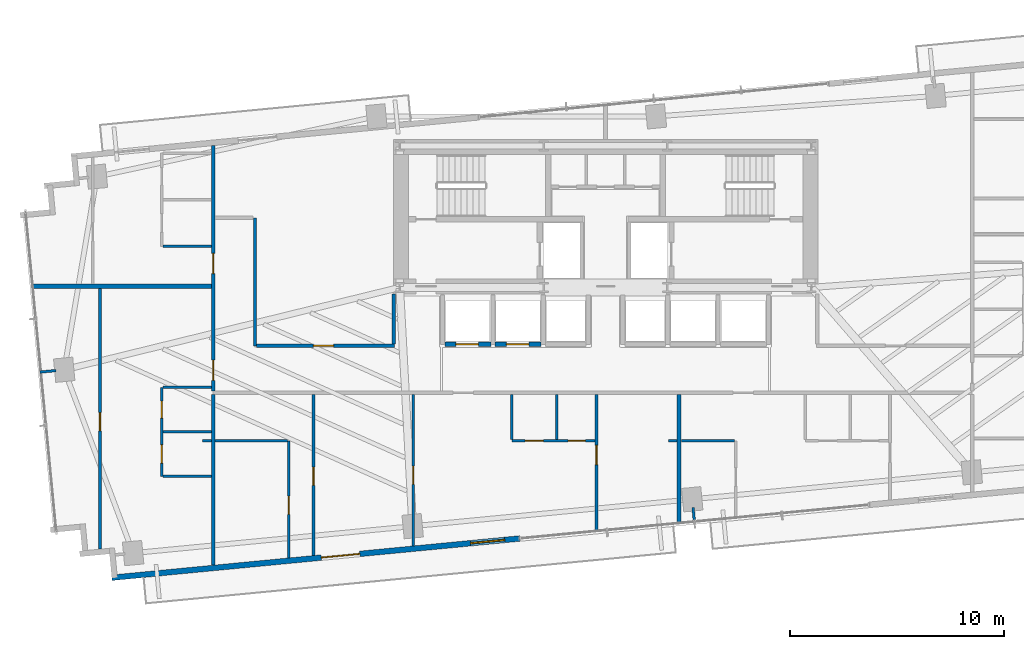
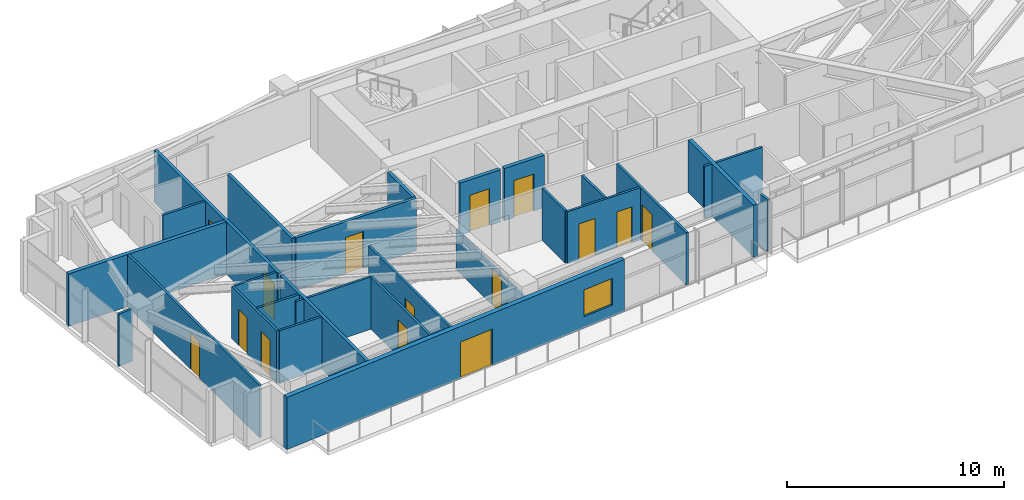
# One storey, part 21 of 27: 29 walls, 15 doors, 1 window, 16 openings.
"""IFC4 building model written with IfcOpenShell, lengths in metres."""

from ifc_helpers import new_model, si_unit, direction, frame, frame_2d, origin, place, context, subcontext, project, spatial, rectangle, extrude, source, transform, mapped, material, layer, layer_set, type_object, type_shapes, element, fill, save


model = new_model("IFC4")

# Units and contexts
model_context = context("Model", 3, precision=1e-05, world=origin(), true_north=direction((0.0, 1.0)))
body_context = subcontext(model_context, "Body", "Model", "MODEL_VIEW")
ifc_project = project(units=[si_unit("LENGTHUNIT", "METRE"), si_unit("AREAUNIT", "SQUARE_METRE"), si_unit("VOLUMEUNIT", "CUBIC_METRE"), si_unit("PLANEANGLEUNIT", "RADIAN"), si_unit("MASSUNIT", "GRAM", prefix="KILO")], contexts=[model_context])

# Site, building, storey
site_placement = place(None, origin())
site = spatial("IfcSite", under=ifc_project, at=site_placement, CompositionType="ELEMENT")
building_placement = place(site_placement, origin())
building = spatial("IfcBuilding", under=site, at=building_placement, Name="Astriad Promenade Condominiums", CompositionType="ELEMENT")
storey_placement = place(building_placement, frame((0.0, 0.0, 84.199951171875)))
storey = spatial("IfcBuildingStorey", under=building, at=storey_placement, Name="L23", CompositionType="ELEMENT", Elevation=84.199951171875)

# Wall
ifc_material_1 = material(Name="Fire-Rated Gypsum Partition")
ifc_layer_1 = layer(ifc_material_1, 0.159912109375)
ifc_layer_set_1 = layer_set([ifc_layer_1], Name="Fire-Rated Gypsum Partition")
wall_type_1 = type_object("IfcWallType", Name="WALL-CORR-160", PredefinedType="PARTITIONING", material=ifc_layer_set_1)
wall_1_placement = place(storey_placement, frame((17.699951171875, 4.44677734375, 0.0), z_axis=(0.0, 0.0, 1.0), x_axis=(0.0, 1.0, 0.0)))
element("IfcWall", 1, at=wall_1_placement, inside=storey, type_object=wall_type_1, Name="PT-COR-W-L23", PredefinedType="PARTITIONING", context=body_context, shape_type="SweptSolid", body=[
    extrude(rectangle(XDim=7.961181640625, YDim=0.159912109375, at=frame_2d((3.98046875, 0.0))), origin(), (0.0, 0.0, 1.0), 2.93994140625),
])

# Wall, openings, doors
wall_2_placement = place(storey_placement, frame((17.699951171875, 12.572021484375, 0.0), z_axis=(0.0, 0.0, 1.0), x_axis=(0.0, 1.0, 0.0)))
wall_2 = element("IfcWall", 2, at=wall_2_placement, inside=storey, type_object=wall_type_1, Name="PT-COR-W-L23-S2", PredefinedType="PARTITIONING", context=body_context, shape_type="SweptSolid", body=[
    extrude(rectangle(XDim=11.440673828125, YDim=0.159912109375, at=frame_2d((5.72021484375, 0.0))), origin(), (0.0, 0.0, 1.0), 2.93994140625),
])
opening_1_placement = place(wall_2_placement, frame((0.492919921875, 0.0, 0.0)))
opening_1 = element("IfcOpeningElement", 3, at=opening_1_placement, cuts=wall_2, Name="Opening FD60-APT-095", PredefinedType="OPENING", context=body_context, shape_type="SweptSolid", body=[
    extrude(rectangle(XDim=0.949951171875, YDim=2.06005859375, at=frame_2d((0.47509765625, 1.030029296875))), frame((0.0, 0.08984375, 0.0), z_axis=(0.0, -1.0, 0.0), x_axis=(1.0, 0.0, 0.0)), (0.0, 0.0, 1.0), 0.179931640625),
])
opening_2_placement = place(wall_2_placement, frame((5.472900390625, 0.0, 0.0)))
opening_2 = element("IfcOpeningElement", 4, at=opening_2_placement, cuts=wall_2, Name="Opening FD60-APT-095", PredefinedType="OPENING", context=body_context, shape_type="SweptSolid", body=[
    extrude(rectangle(XDim=0.949951171875, YDim=2.06005859375, at=frame_2d((0.47509765625, 1.030029296875))), frame((0.0, 0.08984375, 0.0), z_axis=(0.0, -1.0, 0.0), x_axis=(1.0, 0.0, 0.0)), (0.0, 0.0, 1.0), 0.179931640625),
])
ifc_material_2 = material(Name="Solid-Core Acoustic Timber Residence Entry Door", Category="wood")
door_type_1 = type_object("IfcDoorType", Name="FD60-APT-095", OperationType="NOTDEFINED", PredefinedType="DOOR", material=ifc_material_2)
shared_shape_1 = source(origin(), body_context, "Body", "SweptSolid", [
    extrude(rectangle(XDim=0.949951171875, YDim=2.06005859375, at=frame_2d((0.47509765625, 1.030029296875))), frame((0.0, 0.02490234375, 0.0), z_axis=(0.0, -1.0, 0.0), x_axis=(1.0, 0.0, 0.0)), (0.0, 0.0, 1.0), 0.050048828125),
])
type_shapes(door_type_1, [shared_shape_1])
door_1_placement = place(opening_1_placement, origin())
door_1 = element("IfcDoor", 5, at=door_1_placement, inside=storey, type_object=door_type_1, Name="D-ENT-L23-W1", OperationType="SINGLE_SWING_RIGHT", OverallHeight=2.06005859375, OverallWidth=0.949951171875, PredefinedType="DOOR", context=body_context, shape_type="MappedRepresentation", body=[
    mapped(shared_shape_1, transform((0.0, 0.0, 0.0), scale=1.0)),
])
fill(opening_1, door_1)
door_2_placement = place(opening_2_placement, origin())
door_2 = element("IfcDoor", 6, at=door_2_placement, inside=storey, type_object=door_type_1, Name="D-ENT-L23-W2", OperationType="SINGLE_SWING_RIGHT", OverallHeight=2.06005859375, OverallWidth=0.949951171875, PredefinedType="DOOR", context=body_context, shape_type="MappedRepresentation", body=[
    mapped(shared_shape_1, transform((0.0, 0.0, 0.0), scale=1.0)),
])
fill(opening_2, door_2)

# Wall
wall_3_placement = place(storey_placement, frame((19.64990234375, 14.659912109375, 0.0), z_axis=(0.0, 0.0, 1.0), x_axis=(0.0, 1.0, 0.0)))
element("IfcWall", 7, at=wall_3_placement, inside=storey, type_object=wall_type_1, Name="PT-WALC-E-L23", PredefinedType="PARTITIONING", context=body_context, shape_type="SweptSolid", body=[
    extrude(rectangle(XDim=5.989990234375, YDim=0.159912109375, at=frame_2d((2.9951171875, 0.0))), origin(), (0.0, 0.0, 1.0), 2.93994140625),
])

# Wall, opening, door
wall_4_placement = place(storey_placement, frame((19.73193359375, 14.679931640625, 0.0), z_axis=(0.0, 0.0, 1.0), x_axis=(1.0, 0.0, 0.0)))
wall_4 = element("IfcWall", 8, at=wall_4_placement, inside=storey, type_object=wall_type_1, Name="PT-FLK-NW-L23", PredefinedType="PARTITIONING", context=body_context, shape_type="SweptSolid", body=[
    extrude(rectangle(XDim=6.427978515625, YDim=0.159912109375, at=frame_2d((3.2138671875, 0.0))), origin(), (0.0, 0.0, 1.0), 2.93994140625),
])
opening_3_placement = place(wall_4_placement, frame((2.637939453125, 0.0, 0.0)))
opening_3 = element("IfcOpeningElement", 9, at=opening_3_placement, cuts=wall_4, Name="Opening FD60-APT-095", PredefinedType="OPENING", context=body_context, shape_type="SweptSolid", body=[
    extrude(rectangle(XDim=0.949951171875, YDim=2.06005859375, at=frame_2d((0.47509765625, 1.030029296875))), frame((0.0, 0.08984375, 0.0), z_axis=(0.0, -1.0, 0.0), x_axis=(1.0, 0.0, 0.0)), (0.0, 0.0, 1.0), 0.179931640625),
])
door_3_placement = place(opening_3_placement, origin())
door_3 = element("IfcDoor", 10, at=door_3_placement, inside=storey, type_object=door_type_1, Name="D-NWA-L23", OperationType="SINGLE_SWING_RIGHT", OverallHeight=2.06005859375, OverallWidth=0.949951171875, PredefinedType="DOOR", context=body_context, shape_type="MappedRepresentation", body=[
    mapped(shared_shape_1, transform((0.0, 0.0, 0.0), scale=1.0)),
])
fill(opening_3, door_3)

# Walls
wall_5_placement = place(storey_placement, frame((26.1201171875, 14.761962890625, 0.0), z_axis=(0.0, 0.0, 1.0), x_axis=(0.0, 1.0, 0.0)))
element("IfcWall", 11, at=wall_5_placement, inside=storey, type_object=wall_type_1, Name="PT-WSPUR-W-L23", PredefinedType="PARTITIONING", context=body_context, shape_type="SweptSolid", body=[
    extrude(rectangle(XDim=2.3359375, YDim=0.159912109375, at=frame_2d((1.16796875, 0.0))), origin(), (0.0, 0.0, 1.0), 2.93994140625),
])
ifc_material_3 = material(Name="Acoustic Double-Stud Gypsum Partition")
ifc_layer_2 = layer(ifc_material_3, 0.199951171875)
ifc_layer_set_2 = layer_set([ifc_layer_2], Name="Acoustic Double-Stud Gypsum Partition")
wall_type_2 = type_object("IfcWallType", Name="WALL-DEMISING-200", PredefinedType="PARTITIONING", material=ifc_layer_set_2)
wall_6_placement = place(storey_placement, frame((39.430908203125, 6.356201171875, 0.0), z_axis=(0.0, 0.0, 1.0), x_axis=(0.0, 1.0, 0.0)))
element("IfcWall", 12, at=wall_6_placement, inside=storey, type_object=wall_type_2, Name="PT-DEM-S1-L23", PredefinedType="PARTITIONING", context=body_context, shape_type="SweptSolid", body=[
    extrude(rectangle(XDim=6.0517578125, YDim=0.199951171875, at=frame_2d((3.02587890625, 0.0))), origin(), (0.0, 0.0, 1.0), 2.93994140625),
])
wall_7_placement = place(storey_placement, frame((9.231689453125, 17.449951171875, 0.0), z_axis=(0.0, 0.0, 1.0), x_axis=(1.0, 0.0, 0.0)))
element("IfcWall", 13, at=wall_7_placement, inside=storey, type_object=wall_type_2, Name="PT-DEM-WW-L23", PredefinedType="PARTITIONING", context=body_context, shape_type="SweptSolid", body=[
    extrude(rectangle(XDim=8.38623046875, YDim=0.199951171875, at=frame_2d((4.193115234375, 0.0))), origin(), (0.0, 0.0, 1.0), 2.93994140625),
])

# Wall, openings, door, window
ifc_material_4 = material(Name="Precast concrete C50/60", Category="concrete")
ifc_layer_3 = layer(ifc_material_4, 0.260009765625)
ifc_layer_set_3 = layer_set([ifc_layer_3], Name="Precast concrete C50/60")
wall_type_3 = type_object("IfcWallType", Name="WALL-EXT-TWR-260", PredefinedType="STANDARD", material=ifc_layer_set_3)
wall_8_placement = place(storey_placement, frame((31.99365234375, 5.6904296875, 0.0), z_axis=(0.0, 0.0, 1.0), x_axis=(-0.995396521236, -0.095842399342, 0.0)))
wall_8 = element("IfcWall", 14, at=wall_8_placement, inside=storey, type_object=wall_type_3, Name="W-EXT-L23-S2", PredefinedType="STANDARD", context=body_context, shape_type="SweptSolid", body=[
    extrude(rectangle(XDim=19.10986328125, YDim=0.260009765625, at=frame_2d((9.554931640625, 0.0))), origin(), (0.0, 0.0, 1.0), 2.93994140625),
])
opening_4_placement = place(wall_8_placement, frame((7.489990234375, 0.0, 0.0)))
opening_4 = element("IfcOpeningElement", 15, at=opening_4_placement, cuts=wall_8, Name="Opening BD-1822-SLD", PredefinedType="OPENING", context=body_context, shape_type="SweptSolid", body=[
    extrude(rectangle(XDim=1.800048828125, YDim=2.06005859375, at=frame_2d((0.89990234375, 1.030029296875))), frame((0.0, 0.139892578125, 0.0), z_axis=(0.0, -1.0, 0.0), x_axis=(1.0, 0.0, 0.0)), (0.0, 0.0, 1.0), 0.280029296875),
])
opening_5_placement = place(wall_8_placement, frame((0.699951171875, 0.0, 0.64990234375)))
opening_5 = element("IfcOpeningElement", 16, at=opening_5_placement, cuts=wall_8, Name="Opening WIN-TWR-1620", PredefinedType="OPENING", context=body_context, shape_type="SweptSolid", body=[
    extrude(rectangle(XDim=1.60009765625, YDim=1.5, at=frame_2d((0.800048828125, 0.75))), frame((0.0, 0.139892578125, 0.0), z_axis=(0.0, -1.0, 0.0), x_axis=(1.0, 0.0, 0.0)), (0.0, 0.0, 1.0), 0.280029296875),
])
ifc_material_5 = material(Name="Thermally Broken Aluminium Sliding Balcony Door", Category="aluminium")
door_type_2 = type_object("IfcDoorType", Name="BD-1822-SLD", OperationType="NOTDEFINED", PredefinedType="DOOR", material=ifc_material_5)
shared_shape_2 = source(origin(), body_context, "Body", "SweptSolid", [
    extrude(rectangle(XDim=1.800048828125, YDim=2.06005859375, at=frame_2d((0.89990234375, 1.030029296875))), frame((0.0, 0.02490234375, 0.0), z_axis=(0.0, -1.0, 0.0), x_axis=(1.0, 0.0, 0.0)), (0.0, 0.0, 1.0), 0.050048828125),
])
type_shapes(door_type_2, [shared_shape_2])
door_4_placement = place(opening_4_placement, origin())
door_4 = element("IfcDoor", 17, at=door_4_placement, inside=storey, type_object=door_type_2, Name="BD-L23-SW", OperationType="SLIDING_TO_LEFT", OverallHeight=2.06005859375, OverallWidth=1.800048828125, PredefinedType="DOOR", context=body_context, shape_type="MappedRepresentation", body=[
    mapped(shared_shape_2, transform((0.0, 0.0, 0.0), scale=1.0)),
])
fill(opening_4, door_4)
ifc_material_6 = material(Name="Dark Tinted Triple-Glazed Aluminium Window", Category="aluminium")
window_type = type_object("IfcWindowType", Name="WIN-TWR-1620", PartitioningType="SINGLE_PANEL", PredefinedType="WINDOW", material=ifc_material_6)
shared_shape_3 = source(origin(), body_context, "Body", "SweptSolid", [
    extrude(rectangle(XDim=1.60009765625, YDim=1.5, at=frame_2d((0.800048828125, 0.75))), frame((0.0, 0.030029296875, 0.0), z_axis=(0.0, -1.0, 0.0), x_axis=(1.0, 0.0, 0.0)), (0.0, 0.0, 1.0), 0.06005859375),
])
type_shapes(window_type, [shared_shape_3])
window_placement = place(opening_5_placement, origin())
window = element("IfcWindow", 18, at=window_placement, inside=storey, type_object=window_type, Name="WIN-L23-SW", OverallHeight=1.5, OverallWidth=1.60009765625, PartitioningType="SINGLE_PANEL", PredefinedType="WINDOW", context=body_context, shape_type="MappedRepresentation", body=[
    mapped(shared_shape_3, transform((0.0, 0.0, 0.0), scale=1.0)),
])
fill(opening_5, window)

# Wall, opening, door
ifc_material_7 = material(Name="Acoustic Metal-Stud Gypsum Partition")
ifc_layer_4 = layer(ifc_material_7, 0.1201171875)
ifc_layer_set_4 = layer_set([ifc_layer_4], Name="Acoustic Metal-Stud Gypsum Partition")
wall_type_4 = type_object("IfcWallType", Name="WALL-PART-120", PredefinedType="PARTITIONING", material=ifc_layer_set_4)
wall_9_placement = place(storey_placement, frame((35.5810546875, 5.985595703125, 0.0), z_axis=(0.0, 0.0, 1.0), x_axis=(0.0, 1.0, 0.0)))
wall_9 = element("IfcWall", 19, at=wall_9_placement, inside=storey, type_object=wall_type_4, Name="PT-L23-S1-BD1", PredefinedType="PARTITIONING", context=body_context, shape_type="SweptSolid", body=[
    extrude(rectangle(XDim=6.42236328125, YDim=0.1201171875, at=frame_2d((3.211181640625, 0.0))), origin(), (0.0, 0.0, 1.0), 2.93994140625),
])
opening_6_placement = place(wall_9_placement, frame((3.154296875, 0.0, 0.0)))
opening_6 = element("IfcOpeningElement", 20, at=opening_6_placement, cuts=wall_9, Name="Opening D-INT-090", PredefinedType="OPENING", context=body_context, shape_type="SweptSolid", body=[
    extrude(rectangle(XDim=0.89990234375, YDim=2.050048828125, at=frame_2d((0.449951171875, 1.02490234375))), frame((0.0, 0.070068359375, 0.0), z_axis=(0.0, -1.0, 0.0), x_axis=(1.0, 0.0, 0.0)), (0.0, 0.0, 1.0), 0.14013671875),
])
ifc_material_8 = material(Name="Painted Solid-Core Timber Bedroom Door", Category="wood")
door_type_3 = type_object("IfcDoorType", Name="D-INT-090", OperationType="NOTDEFINED", PredefinedType="DOOR", material=ifc_material_8)
shared_shape_4 = source(origin(), body_context, "Body", "SweptSolid", [
    extrude(rectangle(XDim=0.89990234375, YDim=2.050048828125, at=frame_2d((0.449951171875, 1.02490234375))), frame((0.0, 0.02490234375, 0.0), z_axis=(0.0, -1.0, 0.0), x_axis=(1.0, 0.0, 0.0)), (0.0, 0.0, 1.0), 0.050048828125),
])
type_shapes(door_type_3, [shared_shape_4])
door_5_placement = place(opening_6_placement, origin())
door_5 = element("IfcDoor", 21, at=door_5_placement, inside=storey, type_object=door_type_3, Name="D-BD1-L23-S1", OperationType="SINGLE_SWING_RIGHT", OverallHeight=2.050048828125, OverallWidth=0.89990234375, PredefinedType="DOOR", context=body_context, shape_type="MappedRepresentation", body=[
    mapped(shared_shape_4, transform((0.0, 0.0, 0.0), scale=1.0)),
])
fill(opening_6, door_5)

# Wall, openings, doors
wall_10_placement = place(storey_placement, frame((31.631103515625, 10.239990234375, 0.0), z_axis=(0.0, 0.0, 1.0), x_axis=(1.0, 0.0, 0.0)))
wall_10 = element("IfcWall", 22, at=wall_10_placement, inside=storey, type_object=wall_type_4, Name="PT-L23-S1-PS", PredefinedType="PARTITIONING", context=body_context, shape_type="SweptSolid", body=[
    extrude(rectangle(XDim=3.887939453125, YDim=0.1201171875, at=frame_2d((1.94384765625, 0.0))), origin(), (0.0, 0.0, 1.0), 2.93994140625),
])
opening_7_placement = place(wall_10_placement, frame((0.625, 0.0, 0.0)))
opening_7 = element("IfcOpeningElement", 23, at=opening_7_placement, cuts=wall_10, Name="Opening D-INT-085", PredefinedType="OPENING", context=body_context, shape_type="SweptSolid", body=[
    extrude(rectangle(XDim=0.85009765625, YDim=2.050048828125, at=frame_2d((0.425048828125, 1.02490234375))), frame((0.0, 0.070068359375, 0.0), z_axis=(0.0, -1.0, 0.0), x_axis=(1.0, 0.0, 0.0)), (0.0, 0.0, 1.0), 0.14013671875),
])
opening_8_placement = place(wall_10_placement, frame((2.625, 0.0, 0.0)))
opening_8 = element("IfcOpeningElement", 24, at=opening_8_placement, cuts=wall_10, Name="Opening D-WET-080", PredefinedType="OPENING", context=body_context, shape_type="SweptSolid", body=[
    extrude(rectangle(XDim=0.800048828125, YDim=2.02001953125, at=frame_2d((0.39990234375, 1.010009765625))), frame((0.0, 0.070068359375, 0.0), z_axis=(0.0, -1.0, 0.0), x_axis=(1.0, 0.0, 0.0)), (0.0, 0.0, 1.0), 0.14013671875),
])
ifc_material_9 = material(Name="Moisture-Resistant Timber Bathroom Door", Category="wood")
door_type_4 = type_object("IfcDoorType", Name="D-WET-080", OperationType="NOTDEFINED", PredefinedType="DOOR", material=ifc_material_9)
shared_shape_5 = source(origin(), body_context, "Body", "SweptSolid", [
    extrude(rectangle(XDim=0.800048828125, YDim=2.02001953125, at=frame_2d((0.39990234375, 1.010009765625))), frame((0.0, 0.02490234375, 0.0), z_axis=(0.0, -1.0, 0.0), x_axis=(1.0, 0.0, 0.0)), (0.0, 0.0, 1.0), 0.050048828125),
])
type_shapes(door_type_4, [shared_shape_5])
door_6_placement = place(opening_8_placement, origin())
door_6 = element("IfcDoor", 25, at=door_6_placement, inside=storey, type_object=door_type_4, Name="D-BTH-L23-S1", OperationType="SINGLE_SWING_RIGHT", OverallHeight=2.02001953125, OverallWidth=0.800048828125, PredefinedType="DOOR", context=body_context, shape_type="MappedRepresentation", body=[
    mapped(shared_shape_5, transform((0.0, 0.0, 0.0), scale=1.0)),
])
fill(opening_8, door_6)
ifc_material_10 = material(Name="Painted Solid-Core Timber Room Door", Category="wood")
door_type_5 = type_object("IfcDoorType", Name="D-INT-085", OperationType="NOTDEFINED", PredefinedType="DOOR", material=ifc_material_10)
shared_shape_6 = source(origin(), body_context, "Body", "SweptSolid", [
    extrude(rectangle(XDim=0.85009765625, YDim=2.050048828125, at=frame_2d((0.425048828125, 1.02490234375))), frame((0.0, 0.02490234375, 0.0), z_axis=(0.0, -1.0, 0.0), x_axis=(1.0, 0.0, 0.0)), (0.0, 0.0, 1.0), 0.050048828125),
])
type_shapes(door_type_5, [shared_shape_6])
door_7_placement = place(opening_7_placement, origin())
door_7 = element("IfcDoor", 26, at=door_7_placement, inside=storey, type_object=door_type_5, Name="D-KIT-L23-S1", OperationType="SINGLE_SWING_LEFT", OverallHeight=2.050048828125, OverallWidth=0.85009765625, PredefinedType="DOOR", context=body_context, shape_type="MappedRepresentation", body=[
    mapped(shared_shape_6, transform((0.0, 0.0, 0.0), scale=1.0)),
])
fill(opening_7, door_7)

# Walls
for number, where, z_axis, x_axis, name in (
    (27, (33.73095703125, 10.302001953125, 0.0), (0.0, 0.0, 1.0), (0.0, 1.0, 0.0), "PT-L23-S1-PBK"),
    (28, (31.631103515625, 10.302001953125, 0.0), (0.0, 0.0, 1.0), (0.0, 1.0, 0.0), "PT-L23-S1-PKW"),
):
    element("IfcWall", number, at=place(storey_placement, frame(where, z_axis=z_axis, x_axis=x_axis)), inside=storey, type_object=wall_type_4, Name=name, PredefinedType="PARTITIONING", context=body_context, shape_type="SweptSolid", body=[
        extrude(rectangle(XDim=2.10595703125, YDim=0.1201171875, at=frame_2d((1.052978515625, 0.0))), origin(), (0.0, 0.0, 1.0), 2.93994140625),
    ])

# Wall, opening, door
wall_11_placement = place(storey_placement, frame((21.22998046875, 4.78662109375, 0.0), z_axis=(0.0, 0.0, 1.0), x_axis=(0.0, 1.0, 0.0)))
wall_11 = element("IfcWall", 29, at=wall_11_placement, inside=storey, type_object=wall_type_4, Name="PT-L23-S1-EXV", PredefinedType="PARTITIONING", context=body_context, shape_type="SweptSolid", body=[
    extrude(rectangle(XDim=5.453369140625, YDim=0.1201171875, at=frame_2d((2.7265625, 0.0))), origin(), (0.0, 0.0, 1.0), 2.93994140625),
])
opening_9_placement = place(wall_11_placement, frame((2.034423828125, 0.0, 0.0)))
opening_9 = element("IfcOpeningElement", 30, at=opening_9_placement, cuts=wall_11, Name="Opening D-INT-085", PredefinedType="OPENING", context=body_context, shape_type="SweptSolid", body=[
    extrude(rectangle(XDim=0.85009765625, YDim=2.050048828125, at=frame_2d((0.425048828125, 1.02490234375))), frame((0.0, 0.070068359375, 0.0), z_axis=(0.0, -1.0, 0.0), x_axis=(1.0, 0.0, 0.0)), (0.0, 0.0, 1.0), 0.14013671875),
])
door_8_placement = place(opening_9_placement, origin())
door_8 = element("IfcDoor", 31, at=door_8_placement, inside=storey, type_object=door_type_5, Name="D-EX-L23-S1", OperationType="SINGLE_SWING_RIGHT", OverallHeight=2.050048828125, OverallWidth=0.85009765625, PredefinedType="DOOR", context=body_context, shape_type="MappedRepresentation", body=[
    mapped(shared_shape_6, transform((0.0, 0.0, 0.0), scale=1.0)),
])
fill(opening_9, door_8)

# Walls
wall_12_placement = place(storey_placement, frame((17.199951171875, 10.239990234375, 0.0), z_axis=(0.0, 0.0, 1.0), x_axis=(1.0, 0.0, 0.0)))
element("IfcWall", 32, at=wall_12_placement, inside=storey, type_object=wall_type_4, Name="PT-L23-S1-EXH", PredefinedType="PARTITIONING", context=body_context, shape_type="SweptSolid", body=[
    extrude(rectangle(XDim=0.41796875, YDim=0.1201171875, at=frame_2d((0.208984375, 0.0))), origin(), (0.0, 0.0, 1.0), 2.93994140625),
])
wall_13_placement = place(storey_placement, frame((17.781982421875, 10.239990234375, 0.0), z_axis=(0.0, 0.0, 1.0), x_axis=(1.0, 0.0, 0.0)))
element("IfcWall", 33, at=wall_13_placement, inside=storey, type_object=wall_type_4, Name="PT-L23-S1-EXH-S2", PredefinedType="PARTITIONING", context=body_context, shape_type="SweptSolid", body=[
    extrude(rectangle(XDim=3.385986328125, YDim=0.1201171875, at=frame_2d((1.69287109375, 0.0))), origin(), (0.0, 0.0, 1.0), 2.93994140625),
])

# Wall, opening, door
wall_14_placement = place(storey_placement, frame((22.3798828125, 4.897216796875, 0.0), z_axis=(0.0, 0.0, 1.0), x_axis=(0.0, 1.0, 0.0)))
wall_14 = element("IfcWall", 34, at=wall_14_placement, inside=storey, type_object=wall_type_4, Name="PT-L23-S1-CAP1", PredefinedType="PARTITIONING", context=body_context, shape_type="SweptSolid", body=[
    extrude(rectangle(XDim=7.5107421875, YDim=0.1201171875, at=frame_2d((3.75537109375, 0.0))), origin(), (0.0, 0.0, 1.0), 2.93994140625),
])
opening_10_placement = place(wall_14_placement, frame((3.267578125, 0.0, 0.0)))
opening_10 = element("IfcOpeningElement", 35, at=opening_10_placement, cuts=wall_14, Name="Opening D-INT-085", PredefinedType="OPENING", context=body_context, shape_type="SweptSolid", body=[
    extrude(rectangle(XDim=0.85009765625, YDim=2.050048828125, at=frame_2d((0.425048828125, 1.02490234375))), frame((0.0, 0.070068359375, 0.0), z_axis=(0.0, -1.0, 0.0), x_axis=(1.0, 0.0, 0.0)), (0.0, 0.0, 1.0), 0.14013671875),
])
door_9_placement = place(opening_10_placement, origin())
door_9 = element("IfcDoor", 36, at=door_9_placement, inside=storey, type_object=door_type_5, Name="D-CAP1-L23-S1", OperationType="SINGLE_SWING_LEFT", OverallHeight=2.050048828125, OverallWidth=0.85009765625, PredefinedType="DOOR", context=body_context, shape_type="MappedRepresentation", body=[
    mapped(shared_shape_6, transform((0.0, 0.0, 0.0), scale=1.0)),
])
fill(opening_10, door_9)

wall_15_placement = place(storey_placement, frame((27.0400390625, 5.345947265625, 0.0), z_axis=(0.0, 0.0, 1.0), x_axis=(0.0, 1.0, 0.0)))
wall_15 = element("IfcWall", 37, at=wall_15_placement, inside=storey, type_object=wall_type_4, Name="PT-L23-S1-CAP2", PredefinedType="PARTITIONING", context=body_context, shape_type="SweptSolid", body=[
    extrude(rectangle(XDim=7.06201171875, YDim=0.1201171875, at=frame_2d((3.531005859375, 0.0))), origin(), (0.0, 0.0, 1.0), 2.215576171875),
])
opening_11_placement = place(wall_15_placement, frame((2.8740234375, 0.0, 0.0)))
opening_11 = element("IfcOpeningElement", 38, at=opening_11_placement, cuts=wall_15, Name="Opening D-INT-085", PredefinedType="OPENING", context=body_context, shape_type="SweptSolid", body=[
    extrude(rectangle(XDim=0.85009765625, YDim=2.050048828125, at=frame_2d((0.425048828125, 1.02490234375))), frame((0.0, 0.070068359375, 0.0), z_axis=(0.0, -1.0, 0.0), x_axis=(1.0, 0.0, 0.0)), (0.0, 0.0, 1.0), 0.14013671875),
])
door_10_placement = place(opening_11_placement, origin())
door_10 = element("IfcDoor", 39, at=door_10_placement, inside=storey, type_object=door_type_5, Name="D-CAP2-L23-S1", OperationType="SINGLE_SWING_RIGHT", OverallHeight=2.050048828125, OverallWidth=0.85009765625, PredefinedType="DOOR", context=body_context, shape_type="MappedRepresentation", body=[
    mapped(shared_shape_6, transform((0.0, 0.0, 0.0), scale=1.0)),
])
fill(opening_11, door_10)

# Walls
wall_16_placement = place(storey_placement, frame((38.930908203125, 10.239990234375, 0.0), z_axis=(0.0, 0.0, 1.0), x_axis=(1.0, 0.0, 0.0)))
element("IfcWall", 40, at=wall_16_placement, inside=storey, type_object=wall_type_4, Name="PT-L23-S2-EXH", PredefinedType="PARTITIONING", context=body_context, shape_type="SweptSolid", body=[
    extrude(rectangle(XDim=0.398193359375, YDim=0.1201171875, at=frame_2d((0.19921875, 0.0))), origin(), (0.0, 0.0, 1.0), 2.93994140625),
])
wall_17_placement = place(storey_placement, frame((39.532958984375, 10.239990234375, 0.0), z_axis=(0.0, 0.0, 1.0), x_axis=(1.0, 0.0, 0.0)))
element("IfcWall", 41, at=wall_17_placement, inside=storey, type_object=wall_type_4, Name="PT-L23-S2-EXH-S2", PredefinedType="PARTITIONING", context=body_context, shape_type="SweptSolid", body=[
    extrude(rectangle(XDim=2.483154296875, YDim=0.1201171875, at=frame_2d((1.24169921875, 0.0))), origin(), (0.0, 0.0, 1.0), 2.93994140625),
])

# Wall, openings, doors
wall_18_placement = place(storey_placement, frame((15.300048828125, 8.590087890625, 0.0), z_axis=(0.0, 0.0, 1.0), x_axis=(0.0, 1.0, 0.0)))
wall_18 = element("IfcWall", 42, at=wall_18_placement, inside=storey, type_object=wall_type_4, Name="PT-L23-W1-PV", PredefinedType="PARTITIONING", context=body_context, shape_type="SweptSolid", body=[
    extrude(rectangle(XDim=4.14990234375, YDim=0.1201171875, at=frame_2d((2.074951171875, 0.0))), origin(), (0.0, 0.0, 1.0), 2.93994140625),
])
opening_12_placement = place(wall_18_placement, frame((0.612060546875, 0.0, 0.0)))
opening_12 = element("IfcOpeningElement", 43, at=opening_12_placement, cuts=wall_18, Name="Opening D-INT-085", PredefinedType="OPENING", context=body_context, shape_type="SweptSolid", body=[
    extrude(rectangle(XDim=0.85009765625, YDim=2.050048828125, at=frame_2d((0.425048828125, 1.02490234375))), frame((0.0, 0.070068359375, 0.0), z_axis=(0.0, -1.0, 0.0), x_axis=(1.0, 0.0, 0.0)), (0.0, 0.0, 1.0), 0.14013671875),
])
opening_13_placement = place(wall_18_placement, frame((2.712890625, 0.0, 0.0)))
opening_13 = element("IfcOpeningElement", 44, at=opening_13_placement, cuts=wall_18, Name="Opening D-WET-080", PredefinedType="OPENING", context=body_context, shape_type="SweptSolid", body=[
    extrude(rectangle(XDim=0.800048828125, YDim=2.02001953125, at=frame_2d((0.39990234375, 1.010009765625))), frame((0.0, 0.070068359375, 0.0), z_axis=(0.0, -1.0, 0.0), x_axis=(1.0, 0.0, 0.0)), (0.0, 0.0, 1.0), 0.14013671875),
])
door_11_placement = place(opening_13_placement, origin())
door_11 = element("IfcDoor", 45, at=door_11_placement, inside=storey, type_object=door_type_4, Name="D-BTH-L23-W1", OperationType="SINGLE_SWING_RIGHT", OverallHeight=2.02001953125, OverallWidth=0.800048828125, PredefinedType="DOOR", context=body_context, shape_type="MappedRepresentation", body=[
    mapped(shared_shape_5, transform((0.0, 0.0, 0.0), scale=1.0)),
])
fill(opening_13, door_11)
door_12_placement = place(opening_12_placement, origin())
door_12 = element("IfcDoor", 46, at=door_12_placement, inside=storey, type_object=door_type_5, Name="D-KIT-L23-W1", OperationType="SINGLE_SWING_LEFT", OverallHeight=2.050048828125, OverallWidth=0.85009765625, PredefinedType="DOOR", context=body_context, shape_type="MappedRepresentation", body=[
    mapped(shared_shape_6, transform((0.0, 0.0, 0.0), scale=1.0)),
])
fill(opening_12, door_12)

# Walls
for number, where, z_axis, x_axis, name in (
    (47, (15.362060546875, 10.6650390625, 0.0), (0.0, 0.0, 1.0), (1.0, 0.0, 0.0), "PT-L23-W1-PM"),
    (48, (15.362060546875, 8.590087890625, 0.0), (0.0, 0.0, 1.0), (1.0, 0.0, 0.0), "PT-L23-W1-PS"),
    (49, (15.362060546875, 12.739990234375, 0.0), (0.0, 0.0, 1.0), (1.0, 0.0, 0.0), "PT-L23-W1-PN"),
):
    element("IfcWall", number, at=place(storey_placement, frame(where, z_axis=z_axis, x_axis=x_axis)), inside=storey, type_object=wall_type_4, Name=name, PredefinedType="PARTITIONING", context=body_context, shape_type="SweptSolid", body=[
        extrude(rectangle(XDim=2.255859375, YDim=0.1201171875, at=frame_2d((1.1279296875, 0.0))), origin(), (0.0, 0.0, 1.0), 2.93994140625),
    ])

# Wall, opening, door
wall_19_placement = place(storey_placement, frame((12.4208984375, 5.194091796875, 0.0), z_axis=(0.0, 0.0, 1.0), x_axis=(0.0, 1.0, 0.0)))
wall_19 = element("IfcWall", 50, at=wall_19_placement, inside=storey, type_object=wall_type_4, Name="PT-L23-W1-B1", PredefinedType="PARTITIONING", context=body_context, shape_type="SweptSolid", body=[
    extrude(rectangle(XDim=12.15380859375, YDim=0.1201171875, at=frame_2d((6.076904296875, 0.0))), origin(), (0.0, 0.0, 1.0), 2.93994140625),
])
opening_14_placement = place(wall_19_placement, frame((5.515869140625, 0.0, 0.0)))
opening_14 = element("IfcOpeningElement", 51, at=opening_14_placement, cuts=wall_19, Name="Opening D-INT-085", PredefinedType="OPENING", context=body_context, shape_type="SweptSolid", body=[
    extrude(rectangle(XDim=0.85009765625, YDim=2.050048828125, at=frame_2d((0.425048828125, 1.02490234375))), frame((0.0, 0.070068359375, 0.0), z_axis=(0.0, -1.0, 0.0), x_axis=(1.0, 0.0, 0.0)), (0.0, 0.0, 1.0), 0.14013671875),
])
door_13_placement = place(opening_14_placement, origin())
door_13 = element("IfcDoor", 52, at=door_13_placement, inside=storey, type_object=door_type_5, Name="D-BD1-L23-W1", OperationType="SINGLE_SWING_LEFT", OverallHeight=2.050048828125, OverallWidth=0.85009765625, PredefinedType="DOOR", context=body_context, shape_type="MappedRepresentation", body=[
    mapped(shared_shape_6, transform((0.0, 0.0, 0.0), scale=1.0)),
])
fill(opening_14, door_13)

# Walls
wall_20_placement = place(storey_placement, frame((15.362060546875, 19.320068359375, 0.0), z_axis=(0.0, 0.0, 1.0), x_axis=(1.0, 0.0, 0.0)))
element("IfcWall", 53, at=wall_20_placement, inside=storey, type_object=wall_type_4, Name="PT-L23-W2-PS", PredefinedType="PARTITIONING", context=body_context, shape_type="SweptSolid", body=[
    extrude(rectangle(XDim=2.255859375, YDim=0.1201171875, at=frame_2d((1.1279296875, 0.0))), origin(), (0.0, 0.0, 1.0), 2.93994140625),
])
wall_21_placement = place(storey_placement, frame((40.081787109375, 7.142333984375, 0.0), z_axis=(0.0, 0.0, 1.0), x_axis=(0.095944965663, -0.995386640238, 0.0)))
element("IfcWall", 54, at=wall_21_placement, inside=storey, type_object=wall_type_4, Name="PT-PIL-L23-PC03-10", PredefinedType="PARTITIONING", context=body_context, shape_type="SweptSolid", body=[
    extrude(rectangle(XDim=0.72021484375, YDim=0.1201171875, at=frame_2d((0.360107421875, 0.0))), origin(), (0.0, 0.0, 1.0), 2.93994140625),
])
wall_22_placement = place(storey_placement, frame((10.373291015625, 13.5244140625, 0.0), z_axis=(0.0, 0.0, 1.0), x_axis=(-0.995377786728, -0.096036772582, 0.0)))
element("IfcWall", 55, at=wall_22_placement, inside=storey, type_object=wall_type_4, Name="PT-PIL-L23-PC11-18", PredefinedType="PARTITIONING", context=body_context, shape_type="SweptSolid", body=[
    extrude(rectangle(XDim=0.760009765625, YDim=0.1201171875, at=frame_2d((0.3798828125, 0.0))), origin(), (0.0, 0.0, 1.0), 2.93994140625),
])

# Wall, opening, door
ifc_material_11 = material(Name="Gypsum Shaftliner Assembly")
ifc_layer_5 = layer(ifc_material_11, 0.199951171875)
ifc_layer_set_5 = layer_set([ifc_layer_5], Name="Gypsum Shaftliner Assembly")
wall_type_5 = type_object("IfcWallType", Name="WALL-SHAFT-200", PredefinedType="PARTITIONING", material=ifc_layer_set_5)
wall_23_placement = place(storey_placement, frame((28.501953125, 14.75, 0.0), z_axis=(0.0, 0.0, 1.0), x_axis=(1.0, 0.0, 0.0)))
wall_23 = element("IfcWall", 56, at=wall_23_placement, inside=storey, type_object=wall_type_5, Name="PL-L-FRT-L23", PredefinedType="PARTITIONING", context=body_context, shape_type="SweptSolid", body=[
    extrude(rectangle(XDim=2.14599609375, YDim=0.199951171875, at=frame_2d((1.072998046875, 0.0))), origin(), (0.0, 0.0, 1.0), 2.93994140625),
])
opening_15_placement = place(wall_23_placement, frame((0.52294921875, 0.0, 0.0)))
opening_15 = element("IfcOpeningElement", 57, at=opening_15_placement, cuts=wall_23, Name="Opening LD-PL-10522", PredefinedType="OPENING", context=body_context, shape_type="SweptSolid", body=[
    extrude(rectangle(XDim=1.050048828125, YDim=2.080078125, at=frame_2d((0.52490234375, 1.0400390625))), frame((0.0, 0.10986328125, 0.0), z_axis=(0.0, -1.0, 0.0), x_axis=(1.0, 0.0, 0.0)), (0.0, 0.0, 1.0), 0.219970703125),
])
ifc_material_12 = material(Name="Brushed Bronze Passenger Elevator Landing Door")
door_type_6 = type_object("IfcDoorType", Name="LD-PL-10522", OperationType="NOTDEFINED", PredefinedType="DOOR", material=ifc_material_12)
shared_shape_7 = source(origin(), body_context, "Body", "SweptSolid", [
    extrude(rectangle(XDim=1.050048828125, YDim=2.080078125, at=frame_2d((0.52490234375, 1.0400390625))), frame((0.0, 0.02490234375, 0.0), z_axis=(0.0, -1.0, 0.0), x_axis=(1.0, 0.0, 0.0)), (0.0, 0.0, 1.0), 0.050048828125),
])
type_shapes(door_type_6, [shared_shape_7])
door_14_placement = place(opening_15_placement, origin())
door_14 = element("IfcDoor", 58, at=door_14_placement, inside=storey, type_object=door_type_6, Name="Elevator Landing Door PL-L1 (L23)", OperationType="SLIDING_TO_LEFT", OverallHeight=2.080078125, OverallWidth=1.050048828125, PredefinedType="DOOR", context=body_context, shape_type="MappedRepresentation", body=[
    mapped(shared_shape_7, transform((0.0, 0.0, 0.0), scale=1.0)),
])
fill(opening_15, door_14)

wall_24_placement = place(storey_placement, frame((30.85205078125, 14.75, 0.0), z_axis=(0.0, 0.0, 1.0), x_axis=(1.0, 0.0, 0.0)))
wall_24 = element("IfcWall", 59, at=wall_24_placement, inside=storey, type_object=wall_type_5, Name="PL-L-FRT-L23-S2", PredefinedType="PARTITIONING", context=body_context, shape_type="SweptSolid", body=[
    extrude(rectangle(XDim=2.14599609375, YDim=0.199951171875, at=frame_2d((1.072998046875, 0.0))), origin(), (0.0, 0.0, 1.0), 2.93994140625),
])
opening_16_placement = place(wall_24_placement, frame((0.52294921875, 0.0, 0.0)))
opening_16 = element("IfcOpeningElement", 60, at=opening_16_placement, cuts=wall_24, Name="Opening LD-PL-10522", PredefinedType="OPENING", context=body_context, shape_type="SweptSolid", body=[
    extrude(rectangle(XDim=1.050048828125, YDim=2.080078125, at=frame_2d((0.52490234375, 1.0400390625))), frame((0.0, 0.10986328125, 0.0), z_axis=(0.0, -1.0, 0.0), x_axis=(1.0, 0.0, 0.0)), (0.0, 0.0, 1.0), 0.219970703125),
])
door_15_placement = place(opening_16_placement, origin())
door_15 = element("IfcDoor", 61, at=door_15_placement, inside=storey, type_object=door_type_6, Name="Elevator Landing Door PL-L2 (L23)", OperationType="SLIDING_TO_RIGHT", OverallHeight=2.080078125, OverallWidth=1.050048828125, PredefinedType="DOOR", context=body_context, shape_type="MappedRepresentation", body=[
    mapped(shared_shape_7, transform((0.0, 0.0, 0.0), scale=1.0)),
])
fill(opening_16, door_15)

save(model, "model.ifc")
